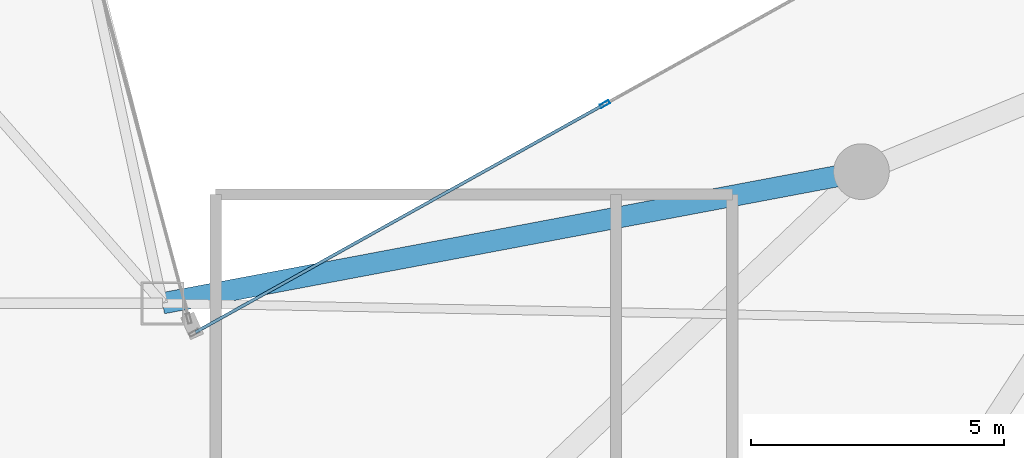
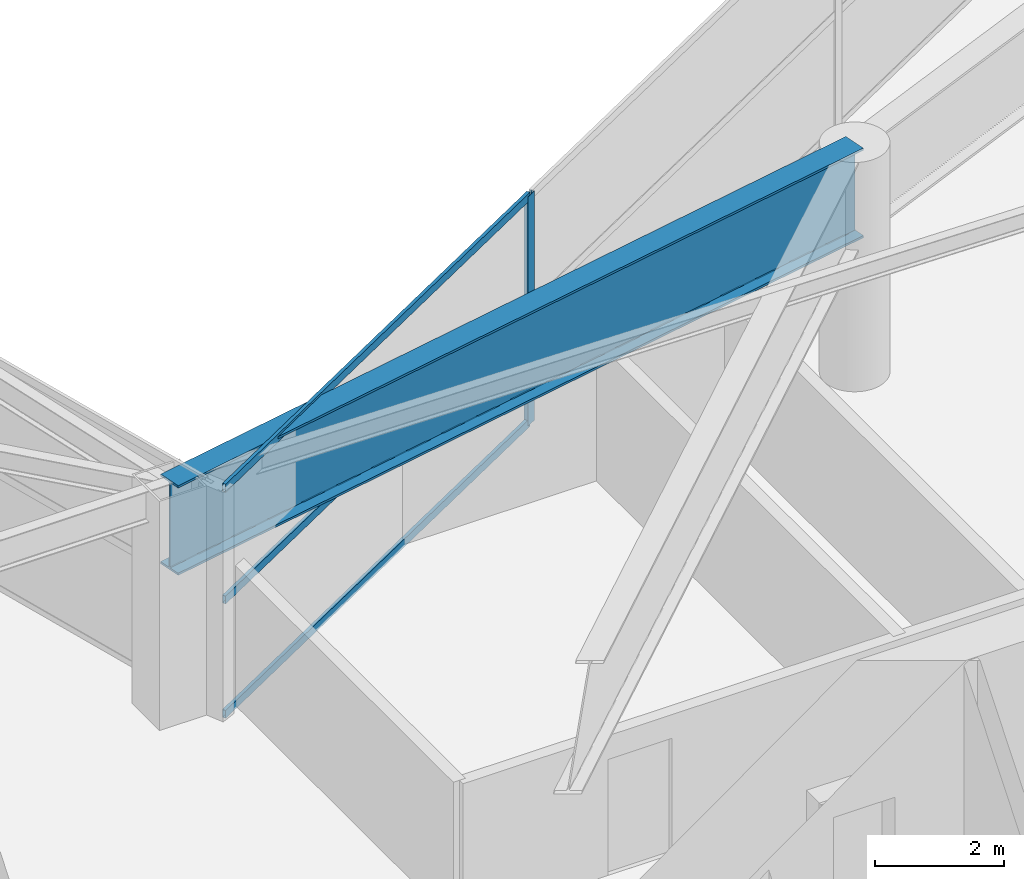
# One storey, part 3 of 17: 4 members, 1 beam, 1 element without a shape of its own.
"""IFC4 building model written with IfcOpenShell, lengths in metres."""

from ifc_helpers import new_model, si_unit, direction, frame, origin, origin_2d, place, context, subcontext, project, spatial, hollow_rectangle, i_section, extrude, material, layer, layer_set, material_profile, profile_set, type_object, element, aggregate, save


model = new_model("IFC4")

# Units and contexts
model_context = context("Model", 3, precision=1e-05, world=origin(), true_north=direction((0.0, 1.0)))
body_context = subcontext(model_context, "Body", "Model", "MODEL_VIEW")
ifc_project = project(units=[si_unit("LENGTHUNIT", "METRE"), si_unit("AREAUNIT", "SQUARE_METRE"), si_unit("VOLUMEUNIT", "CUBIC_METRE"), si_unit("PLANEANGLEUNIT", "RADIAN"), si_unit("MASSUNIT", "GRAM", prefix="KILO")], contexts=[model_context])

# Site, building, storey
site_placement = place(None, origin())
site = spatial("IfcSite", under=ifc_project, at=site_placement, CompositionType="ELEMENT")
building_placement = place(site_placement, origin())
building = spatial("IfcBuilding", under=site, at=building_placement, Name="Calvorn Quay Hotel", CompositionType="ELEMENT")
storey_placement = place(building_placement, frame((0.0, 0.0, 186.5)))
storey = spatial("IfcBuildingStorey", under=building, at=storey_placement, Name="L46", CompositionType="ELEMENT", Elevation=186.5)

# Beam
ifc_material_1 = material(Name="Steel Q420GJC", Category="steel")
ifc_material_profile_1 = material_profile(ifc_material_1, i_section(OverallWidth=0.419921875, OverallDepth=1.699951171875, WebThickness=0.02392578125, FlangeThickness=0.0419921875, FilletRadius=0.02392578125, at=origin_2d()), Name="HN1700x420x24x42")
ifc_profile_set_1 = profile_set([ifc_material_profile_1], Name="Steel Q420GJC")
beam_type = type_object("IfcBeamType", Name="BM-XFER-SAWTOOTH", PredefinedType="BEAM", material=ifc_profile_set_1)
beam_placement = place(storey_placement, frame((34.800048828125, 27.60009765625, 3.5), z_axis=(-0.982709432406, -0.185154452988, 0.0), x_axis=(0.185154452988, -0.982709432406, 0.0)))
element("IfcBeam", 1, at=beam_placement, inside=storey, type_object=beam_type, Name="Beam BSP-L46-E5", PredefinedType="BEAM", context=body_context, shape_type="SweptSolid", body=[
    extrude(i_section(OverallWidth=0.419921875, OverallDepth=1.699951171875, WebThickness=0.02392578125, FlangeThickness=0.0419921875, FilletRadius=0.02392578125, at=origin_2d()), origin(), (0.0, 0.0, 1.0), 14.04296875),
])

# Curtain wall, members
ifc_material_2 = material(Name="Pale Anodised Aluminium and Low-E Glass", Category="aluminium")
ifc_layer = layer(ifc_material_2, 0.219970703125)
ifc_layer_set = layer_set([ifc_layer], Name="CW-SYS-Z2")
curtain_wall_type = type_object("IfcCurtainWallType", Name="CW-SYS-Z2", PredefinedType="NOTDEFINED", material=ifc_layer_set)
curtain_wall_placement = place(storey_placement, origin())
curtain_wall = element("IfcCurtainWall", 2, at=curtain_wall_placement, inside=storey, type_object=curtain_wall_type, Name="Inner Court Curtain Wall L46-NE1", PredefinedType="NOTDEFINED")
ifc_material_3 = material(Name="Pale Anodised Aluminium 6063-T6", Category="aluminium")
ifc_material_profile_2 = material_profile(ifc_material_3, hollow_rectangle(XDim=0.070068359375, YDim=0.199951171875, WallThickness=0.00390625, at=origin_2d()), Name="ALU-M200x70x4")
ifc_profile_set_2 = profile_set([ifc_material_profile_2], Name="Pale Anodised Aluminium 6063-T6")
member_type_1 = type_object("IfcMemberType", Name="CW-SYS-Z2-MUL", PredefinedType="MULLION", material=ifc_profile_set_2)
member_1_placement = place(storey_placement, frame((29.7333984375, 28.933349609375, 0.0), z_axis=(0.0, 0.0, 1.0), x_axis=(0.486858256224, -0.873480989116, 0.0)))
member_1 = element("IfcMember", 3, at=member_1_placement, type_object=member_type_1, Name="CW-L46-NE1 mullion 3", PredefinedType="MULLION", context=body_context, shape_type="SweptSolid", body=[
    extrude(hollow_rectangle(XDim=0.070068359375, YDim=0.199951171875, WallThickness=0.00390625, at=origin_2d()), origin(), (0.0, 0.0, 1.0), 4.35009765625),
])
ifc_material_4 = material(Name="Pale Anodised Aluminium 6063-T6", Category="aluminium")
ifc_material_profile_3 = material_profile(ifc_material_4, hollow_rectangle(XDim=0.06005859375, YDim=0.14990234375, WallThickness=0.00341796875, at=origin_2d()), Name="ALU-T150x60x3.5")
ifc_profile_set_3 = profile_set([ifc_material_profile_3], Name="Pale Anodised Aluminium 6063-T6")
member_type_2 = type_object("IfcMemberType", Name="CW-SYS-Z2-TRN", PredefinedType="USERDEFINED", material=ifc_profile_set_3)
member_2_placement = place(storey_placement, frame((29.70703125, 28.918701171875, 0.030029296875), z_axis=(-0.87348080454, -0.486858587375, 0.0), x_axis=(0.486858587375, -0.87348080454, 0.0)))
member_2 = element("IfcMember", 4, at=member_2_placement, type_object=member_type_2, Name="CW-L46-NE1 transom 3.1", ObjectType="TRANSOM", PredefinedType="USERDEFINED", context=body_context, shape_type="SweptSolid", body=[
    extrude(hollow_rectangle(XDim=0.06005859375, YDim=0.14990234375, WallThickness=0.00341796875, at=origin_2d()), origin(), (0.0, 0.0, 1.0), 9.221435546875),
])
member_3_placement = place(storey_placement, frame((29.70703125, 28.918701171875, 2.199951171875), z_axis=(-0.87348080454, -0.486858587375, 0.0), x_axis=(0.486858587375, -0.87348080454, 0.0)))
member_3 = element("IfcMember", 5, at=member_3_placement, type_object=member_type_2, Name="CW-L46-NE1 transom 3.2", ObjectType="TRANSOM", PredefinedType="USERDEFINED", context=body_context, shape_type="SweptSolid", body=[
    extrude(hollow_rectangle(XDim=0.06005859375, YDim=0.14990234375, WallThickness=0.00341796875, at=origin_2d()), origin(), (0.0, 0.0, 1.0), 9.221435546875),
])
member_4_placement = place(storey_placement, frame((29.70703125, 28.918701171875, 4.320068359375), z_axis=(-0.87348080454, -0.486858587375, 0.0), x_axis=(0.486858587375, -0.87348080454, 0.0)))
member_4 = element("IfcMember", 6, at=member_4_placement, type_object=member_type_2, Name="CW-L46-NE1 transom 3.3", ObjectType="TRANSOM", PredefinedType="USERDEFINED", context=body_context, shape_type="SweptSolid", body=[
    extrude(hollow_rectangle(XDim=0.06005859375, YDim=0.14990234375, WallThickness=0.00341796875, at=origin_2d()), origin(), (0.0, 0.0, 1.0), 9.221435546875),
])
aggregate(curtain_wall, [member_1, member_2, member_3, member_4])

save(model, "model.ifc")
